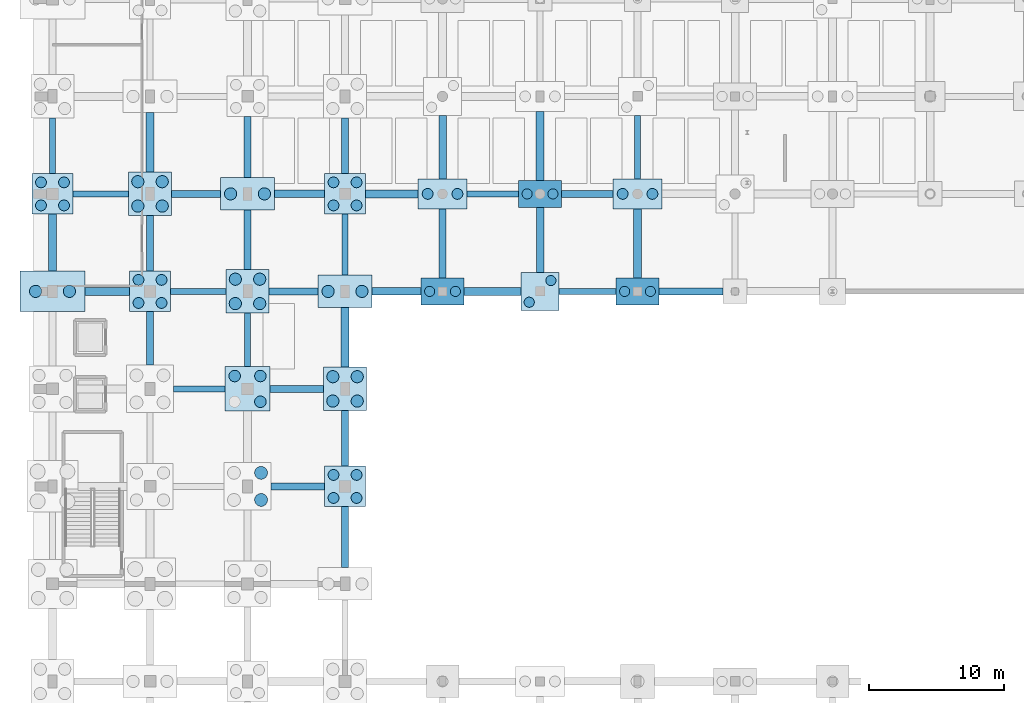
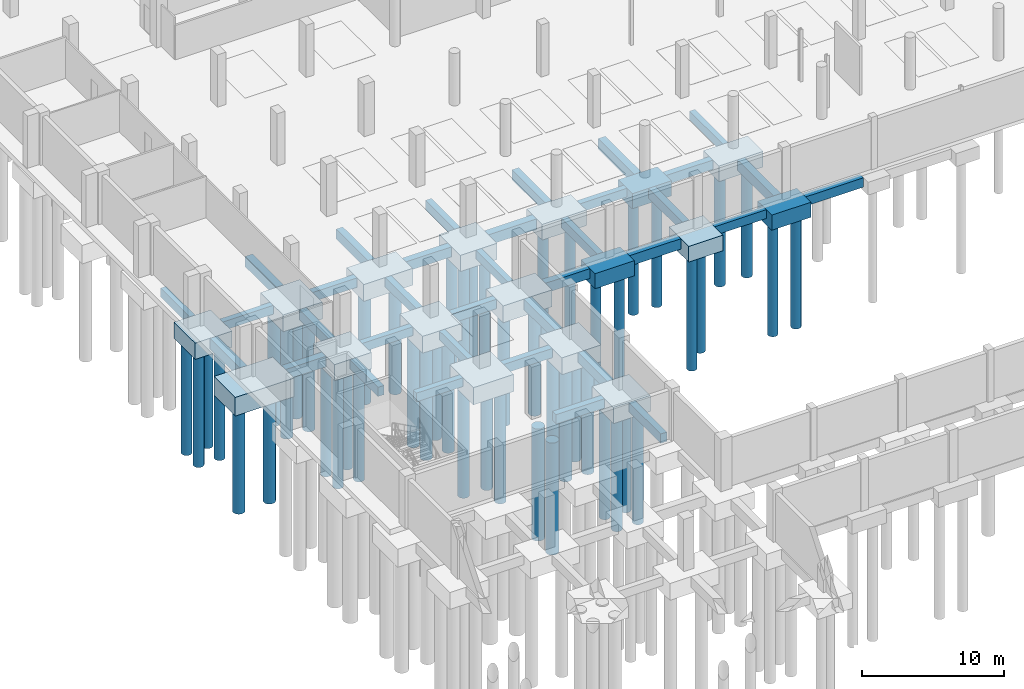
# One storey, part 3 of 35: 52 footings, 51 piles.
"""IFC4 building model written with IfcOpenShell, lengths in metres."""

from ifc_helpers import new_model, si_unit, direction, frame, origin, origin_2d, place, context, subcontext, project, spatial, rectangle, circle, extrude, material, material_profile, profile_set, type_object, element, save


model = new_model("IFC4")

# Units and contexts
model_context = context("Model", 3, precision=1e-05, world=origin(), true_north=direction((0.0, 1.0)))
body_context = subcontext(model_context, "Body", "Model", "MODEL_VIEW")
ifc_project = project(units=[si_unit("LENGTHUNIT", "METRE"), si_unit("AREAUNIT", "SQUARE_METRE"), si_unit("VOLUMEUNIT", "CUBIC_METRE"), si_unit("PLANEANGLEUNIT", "RADIAN"), si_unit("MASSUNIT", "GRAM", prefix="KILO")], contexts=[model_context])

# Site, building, storey
site_placement = place(None, origin())
site = spatial("IfcSite", under=ifc_project, at=site_placement, CompositionType="ELEMENT")
building_placement = place(site_placement, origin())
building = spatial("IfcBuilding", under=site, at=building_placement, Name="Kalluvel Institute of Natural Sciences", CompositionType="ELEMENT")
storey_placement = place(building_placement, frame((0.0, 0.0, -4.5)))
storey = spatial("IfcBuildingStorey", under=building, at=storey_placement, Name="B1", CompositionType="ELEMENT", Elevation=-4.5)

# Footings
ifc_material = material(Name="Concrete M40", Category="concrete")
footing_type_1 = type_object("IfcFootingType", Name="FB-450x750", PredefinedType="FOOTING_BEAM", material=ifc_material)
footing_1_placement = place(storey_placement, frame((24.85009765625, 57.199951171875, -1.199951171875), z_axis=(0.0, 0.0, 1.0), x_axis=(1.0, 0.0, 0.0)))
element("IfcFooting", 1, at=footing_1_placement, inside=storey, type_object=footing_type_1, Name="Foundation tie beam GB-X-056", PredefinedType="FOOTING_BEAM", context=body_context, shape_type="SweptSolid", body=[
    extrude(rectangle(XDim=3.800048828125, YDim=0.449951171875, at=origin_2d()), origin(), (0.0, 0.0, 1.0), 0.75),
])
footing_2_placement = place(storey_placement, frame((24.75, 64.39990234375, -1.199951171875), z_axis=(0.0, 0.0, 1.0), x_axis=(1.0, 0.0, 0.0)))
element("IfcFooting", 2, at=footing_2_placement, inside=storey, type_object=footing_type_1, Name="Foundation tie beam GB-X-060", PredefinedType="FOOTING_BEAM", context=body_context, shape_type="SweptSolid", body=[
    extrude(rectangle(XDim=4.10009765625, YDim=0.449951171875, at=origin_2d()), origin(), (0.0, 0.0, 1.0), 0.75),
])
footing_3_placement = place(storey_placement, frame((53.5, 64.39990234375, -1.199951171875), z_axis=(0.0, 0.0, 1.0), x_axis=(1.0, 0.0, 0.0)))
element("IfcFooting", 3, at=footing_3_placement, inside=storey, type_object=footing_type_1, Name="Foundation tie beam GB-X-064", PredefinedType="FOOTING_BEAM", context=body_context, shape_type="SweptSolid", body=[
    extrude(rectangle(XDim=4.199951171875, YDim=0.449951171875, at=origin_2d()), origin(), (0.0, 0.0, 1.0), 0.75),
])
footing_4_placement = place(storey_placement, frame((17.550048828125, 71.60009765625, -1.199951171875), z_axis=(0.0, 0.0, 1.0), x_axis=(1.0, 0.0, 0.0)))
element("IfcFooting", 4, at=footing_4_placement, inside=storey, type_object=footing_type_1, Name="Foundation tie beam GB-X-068", PredefinedType="FOOTING_BEAM", context=body_context, shape_type="SweptSolid", body=[
    extrude(rectangle(XDim=4.10009765625, YDim=0.449951171875, at=origin_2d()), origin(), (0.0, 0.0, 1.0), 0.75),
])
footing_5_placement = place(storey_placement, frame((46.5, 71.60009765625, -1.199951171875), z_axis=(0.0, 0.0, 1.0), x_axis=(1.0, 0.0, 0.0)))
element("IfcFooting", 5, at=footing_5_placement, inside=storey, type_object=footing_type_1, Name="Foundation tie beam GB-X-072", PredefinedType="FOOTING_BEAM", context=body_context, shape_type="SweptSolid", body=[
    extrude(rectangle(XDim=3.800048828125, YDim=0.449951171875, at=origin_2d()), origin(), (0.0, 0.0, 1.0), 0.75),
])
footing_6_placement = place(storey_placement, frame((14.0, 75.14990234375, -1.199951171875), z_axis=(0.0, 0.0, 1.0), x_axis=(1.0, 0.0, 0.0)))
element("IfcFooting", 6, at=footing_6_placement, inside=storey, type_object=footing_type_1, Name="Foundation tie beam GB-Y-204", PredefinedType="FOOTING_BEAM", context=body_context, shape_type="SweptSolid", body=[
    extrude(rectangle(XDim=0.449951171875, YDim=4.10009765625, at=origin_2d()), origin(), (0.0, 0.0, 1.0), 0.75),
])
footing_7_placement = place(storey_placement, frame((28.39990234375, 60.824951171875, -1.199951171875), z_axis=(0.0, 0.0, 1.0), x_axis=(1.0, 0.0, 0.0)))
element("IfcFooting", 7, at=footing_7_placement, inside=storey, type_object=footing_type_1, Name="Foundation tie beam GB-Y-232", PredefinedType="FOOTING_BEAM", context=body_context, shape_type="SweptSolid", body=[
    extrude(rectangle(XDim=0.449951171875, YDim=3.949951171875, at=origin_2d()), origin(), (0.0, 0.0, 1.0), 0.75),
])
footing_8_placement = place(storey_placement, frame((35.60009765625, 67.85009765625, -1.199951171875), z_axis=(0.0, 0.0, 1.0), x_axis=(1.0, 0.0, 0.0)))
element("IfcFooting", 8, at=footing_8_placement, inside=storey, type_object=footing_type_1, Name="Foundation tie beam GB-Y-248", PredefinedType="FOOTING_BEAM", context=body_context, shape_type="SweptSolid", body=[
    extrude(rectangle(XDim=0.449951171875, YDim=4.5, at=origin_2d()), origin(), (0.0, 0.0, 1.0), 0.75),
])
footing_9_placement = place(storey_placement, frame((57.199951171875, 75.050048828125, -1.199951171875), z_axis=(0.0, 0.0, 1.0), x_axis=(1.0, 0.0, 0.0)))
element("IfcFooting", 9, at=footing_9_placement, inside=storey, type_object=footing_type_1, Name="Foundation tie beam GB-Y-276", PredefinedType="FOOTING_BEAM", context=body_context, shape_type="SweptSolid", body=[
    extrude(rectangle(XDim=0.449951171875, YDim=4.699951171875, at=origin_2d()), origin(), (0.0, 0.0, 1.0), 0.75),
])
footing_type_2 = type_object("IfcFootingType", Name="FB-500x800", PredefinedType="FOOTING_BEAM", material=ifc_material)
for number, where, z_axis, x_axis, name in (
    (10, (32.125, 50.0, -1.25), (0.0, 0.0, 1.0), (1.0, 0.0, 0.0), "Foundation tie beam GB-X-053"),
    (11, (32.02490234375, 57.199951171875, -1.25), (0.0, 0.0, 1.0), (1.0, 0.0, 0.0), "Foundation tie beam GB-X-057"),
):
    element("IfcFooting", number, at=place(storey_placement, frame(where, z_axis=z_axis, x_axis=x_axis)), inside=storey, type_object=footing_type_2, Name=name, PredefinedType="FOOTING_BEAM", context=body_context, shape_type="SweptSolid", body=[
        extrude(rectangle(XDim=3.949951171875, YDim=0.5, at=origin_2d()), origin(), (0.0, 0.0, 1.0), 0.800048828125),
    ])
footing_10_placement = place(storey_placement, frame((31.800048828125, 64.39990234375, -1.25), z_axis=(0.0, 0.0, 1.0), x_axis=(1.0, 0.0, 0.0)))
element("IfcFooting", 12, at=footing_10_placement, inside=storey, type_object=footing_type_2, Name="Foundation tie beam GB-X-061", PredefinedType="FOOTING_BEAM", context=body_context, shape_type="SweptSolid", body=[
    extrude(rectangle(XDim=3.60009765625, YDim=0.5, at=origin_2d()), origin(), (0.0, 0.0, 1.0), 0.800048828125),
])
footing_11_placement = place(storey_placement, frame((61.14990234375, 64.39990234375, -1.25), z_axis=(0.0, 0.0, 1.0), x_axis=(1.0, 0.0, 0.0)))
element("IfcFooting", 13, at=footing_11_placement, inside=storey, type_object=footing_type_2, Name="Foundation tie beam GB-X-065", PredefinedType="FOOTING_BEAM", context=body_context, shape_type="SweptSolid", body=[
    extrude(rectangle(XDim=4.699951171875, YDim=0.5, at=origin_2d()), origin(), (0.0, 0.0, 1.0), 0.800048828125),
])
footing_12_placement = place(storey_placement, frame((24.60009765625, 71.60009765625, -1.25), z_axis=(0.0, 0.0, 1.0), x_axis=(1.0, 0.0, 0.0)))
element("IfcFooting", 14, at=footing_12_placement, inside=storey, type_object=footing_type_2, Name="Foundation tie beam GB-X-069", PredefinedType="FOOTING_BEAM", context=body_context, shape_type="SweptSolid", body=[
    extrude(rectangle(XDim=3.60009765625, YDim=0.5, at=origin_2d()), origin(), (0.0, 0.0, 1.0), 0.800048828125),
])
footing_13_placement = place(storey_placement, frame((53.5, 71.60009765625, -1.25), z_axis=(0.0, 0.0, 1.0), x_axis=(1.0, 0.0, 0.0)))
element("IfcFooting", 15, at=footing_13_placement, inside=storey, type_object=footing_type_2, Name="Foundation tie beam GB-X-073", PredefinedType="FOOTING_BEAM", context=body_context, shape_type="SweptSolid", body=[
    extrude(rectangle(XDim=3.800048828125, YDim=0.5, at=origin_2d()), origin(), (0.0, 0.0, 1.0), 0.800048828125),
])
footing_14_placement = place(storey_placement, frame((21.199951171875, 60.925048828125, -1.25), z_axis=(0.0, 0.0, 1.0), x_axis=(1.0, 0.0, 0.0)))
element("IfcFooting", 16, at=footing_14_placement, inside=storey, type_object=footing_type_2, Name="Foundation tie beam GB-Y-217", PredefinedType="FOOTING_BEAM", context=body_context, shape_type="SweptSolid", body=[
    extrude(rectangle(XDim=0.5, YDim=3.949951171875, at=origin_2d()), origin(), (0.0, 0.0, 1.0), 0.800048828125),
])
footing_15_placement = place(storey_placement, frame((28.39990234375, 68.199951171875, -1.25), z_axis=(0.0, 0.0, 1.0), x_axis=(1.0, 0.0, 0.0)))
element("IfcFooting", 17, at=footing_15_placement, inside=storey, type_object=footing_type_2, Name="Foundation tie beam GB-Y-233", PredefinedType="FOOTING_BEAM", context=body_context, shape_type="SweptSolid", body=[
    extrude(rectangle(XDim=0.5, YDim=4.39990234375, at=origin_2d()), origin(), (0.0, 0.0, 1.0), 0.800048828125),
])
footing_16_placement = place(storey_placement, frame((35.60009765625, 46.25, -1.25), z_axis=(0.0, 0.0, 1.0), x_axis=(1.0, 0.0, 0.0)))
element("IfcFooting", 18, at=footing_16_placement, inside=storey, type_object=footing_type_2, Name="Foundation tie beam GB-Y-245", PredefinedType="FOOTING_BEAM", context=body_context, shape_type="SweptSolid", body=[
    extrude(rectangle(XDim=0.5, YDim=4.5, at=origin_2d()), origin(), (0.0, 0.0, 1.0), 0.800048828125),
])
footing_17_placement = place(storey_placement, frame((35.60009765625, 75.14990234375, -1.25), z_axis=(0.0, 0.0, 1.0), x_axis=(1.0, 0.0, 0.0)))
element("IfcFooting", 19, at=footing_17_placement, inside=storey, type_object=footing_type_2, Name="Foundation tie beam GB-Y-249", PredefinedType="FOOTING_BEAM", context=body_context, shape_type="SweptSolid", body=[
    extrude(rectangle(XDim=0.5, YDim=4.10009765625, at=origin_2d()), origin(), (0.0, 0.0, 1.0), 0.800048828125),
])
footing_18_placement = place(storey_placement, frame((42.800048828125, 67.949951171875, -1.25), z_axis=(0.0, 0.0, 1.0), x_axis=(1.0, 0.0, 0.0)))
element("IfcFooting", 20, at=footing_18_placement, inside=storey, type_object=footing_type_2, Name="Foundation tie beam GB-Y-257", PredefinedType="FOOTING_BEAM", context=body_context, shape_type="SweptSolid", body=[
    extrude(rectangle(XDim=0.5, YDim=5.10009765625, at=origin_2d()), origin(), (0.0, 0.0, 1.0), 0.800048828125),
])
footing_type_3 = type_object("IfcFootingType", Name="FB-550x850", PredefinedType="FOOTING_BEAM", material=ifc_material)
footing_19_placement = place(storey_placement, frame((39.39990234375, 64.39990234375, -1.300048828125), z_axis=(0.0, 0.0, 1.0), x_axis=(1.0, 0.0, 0.0)))
element("IfcFooting", 21, at=footing_19_placement, inside=storey, type_object=footing_type_3, Name="Foundation tie beam GB-X-062", PredefinedType="FOOTING_BEAM", context=body_context, shape_type="SweptSolid", body=[
    extrude(rectangle(XDim=3.60009765625, YDim=0.550048828125, at=origin_2d()), origin(), (0.0, 0.0, 1.0), 0.85009765625),
])
footing_20_placement = place(storey_placement, frame((32.25, 71.60009765625, -1.300048828125), z_axis=(0.0, 0.0, 1.0), x_axis=(1.0, 0.0, 0.0)))
element("IfcFooting", 22, at=footing_20_placement, inside=storey, type_object=footing_type_3, Name="Foundation tie beam GB-X-070", PredefinedType="FOOTING_BEAM", context=body_context, shape_type="SweptSolid", body=[
    extrude(rectangle(XDim=3.699951171875, YDim=0.550048828125, at=origin_2d()), origin(), (0.0, 0.0, 1.0), 0.85009765625),
])
footing_21_placement = place(storey_placement, frame((21.199951171875, 67.949951171875, -1.300048828125), z_axis=(0.0, 0.0, 1.0), x_axis=(1.0, 0.0, 0.0)))
element("IfcFooting", 23, at=footing_21_placement, inside=storey, type_object=footing_type_3, Name="Foundation tie beam GB-Y-218", PredefinedType="FOOTING_BEAM", context=body_context, shape_type="SweptSolid", body=[
    extrude(rectangle(XDim=0.550048828125, YDim=4.10009765625, at=origin_2d()), origin(), (0.0, 0.0, 1.0), 0.85009765625),
])
footing_22_placement = place(storey_placement, frame((28.39990234375, 75.050048828125, -1.300048828125), z_axis=(0.0, 0.0, 1.0), x_axis=(1.0, 0.0, 0.0)))
element("IfcFooting", 24, at=footing_22_placement, inside=storey, type_object=footing_type_3, Name="Foundation tie beam GB-Y-234", PredefinedType="FOOTING_BEAM", context=body_context, shape_type="SweptSolid", body=[
    extrude(rectangle(XDim=0.550048828125, YDim=4.5, at=origin_2d()), origin(), (0.0, 0.0, 1.0), 0.85009765625),
])
footing_23_placement = place(storey_placement, frame((35.60009765625, 53.550048828125, -1.300048828125), z_axis=(0.0, 0.0, 1.0), x_axis=(1.0, 0.0, 0.0)))
element("IfcFooting", 25, at=footing_23_placement, inside=storey, type_object=footing_type_3, Name="Foundation tie beam GB-Y-246", PredefinedType="FOOTING_BEAM", context=body_context, shape_type="SweptSolid", body=[
    extrude(rectangle(XDim=0.550048828125, YDim=4.10009765625, at=origin_2d()), origin(), (0.0, 0.0, 1.0), 0.85009765625),
])
footing_24_placement = place(storey_placement, frame((42.800048828125, 75.050048828125, -1.300048828125), z_axis=(0.0, 0.0, 1.0), x_axis=(1.0, 0.0, 0.0)))
element("IfcFooting", 26, at=footing_24_placement, inside=storey, type_object=footing_type_3, Name="Foundation tie beam GB-Y-258", PredefinedType="FOOTING_BEAM", context=body_context, shape_type="SweptSolid", body=[
    extrude(rectangle(XDim=0.550048828125, YDim=4.699951171875, at=origin_2d()), origin(), (0.0, 0.0, 1.0), 0.85009765625),
])
footing_25_placement = place(storey_placement, frame((50.0, 68.199951171875, -1.300048828125), z_axis=(0.0, 0.0, 1.0), x_axis=(1.0, 0.0, 0.0)))
element("IfcFooting", 27, at=footing_25_placement, inside=storey, type_object=footing_type_3, Name="Foundation tie beam GB-Y-266", PredefinedType="FOOTING_BEAM", context=body_context, shape_type="SweptSolid", body=[
    extrude(rectangle(XDim=0.550048828125, YDim=4.800048828125, at=origin_2d()), origin(), (0.0, 0.0, 1.0), 0.85009765625),
])
footing_type_4 = type_object("IfcFootingType", Name="FB-600x900", PredefinedType="FOOTING_BEAM", material=ifc_material)
footing_26_placement = place(storey_placement, frame((18.050048828125, 64.39990234375, -1.349853515625), z_axis=(0.0, 0.0, 1.0), x_axis=(1.0, 0.0, 0.0)))
element("IfcFooting", 28, at=footing_26_placement, inside=storey, type_object=footing_type_4, Name="Foundation tie beam GB-X-059", PredefinedType="FOOTING_BEAM", context=body_context, shape_type="SweptSolid", body=[
    extrude(rectangle(XDim=3.300048828125, YDim=0.60009765625, at=origin_2d()), origin(), (0.0, 0.0, 1.0), 0.89990234375),
])
footing_27_placement = place(storey_placement, frame((46.5, 64.39990234375, -1.349853515625), z_axis=(0.0, 0.0, 1.0), x_axis=(1.0, 0.0, 0.0)))
element("IfcFooting", 29, at=footing_27_placement, inside=storey, type_object=footing_type_4, Name="Foundation tie beam GB-X-063", PredefinedType="FOOTING_BEAM", context=body_context, shape_type="SweptSolid", body=[
    extrude(rectangle(XDim=4.199951171875, YDim=0.60009765625, at=origin_2d()), origin(), (0.0, 0.0, 1.0), 0.89990234375),
])
footing_28_placement = place(storey_placement, frame((39.050048828125, 71.60009765625, -1.349853515625), z_axis=(0.0, 0.0, 1.0), x_axis=(1.0, 0.0, 0.0)))
element("IfcFooting", 30, at=footing_28_placement, inside=storey, type_object=footing_type_4, Name="Foundation tie beam GB-X-071", PredefinedType="FOOTING_BEAM", context=body_context, shape_type="SweptSolid", body=[
    extrude(rectangle(XDim=3.89990234375, YDim=0.60009765625, at=origin_2d()), origin(), (0.0, 0.0, 1.0), 0.89990234375),
])
footing_29_placement = place(storey_placement, frame((14.0, 68.0, -1.349853515625), z_axis=(0.0, 0.0, 1.0), x_axis=(1.0, 0.0, 0.0)))
element("IfcFooting", 31, at=footing_29_placement, inside=storey, type_object=footing_type_4, Name="Foundation tie beam GB-Y-203", PredefinedType="FOOTING_BEAM", context=body_context, shape_type="SweptSolid", body=[
    extrude(rectangle(XDim=0.60009765625, YDim=4.199951171875, at=origin_2d()), origin(), (0.0, 0.0, 1.0), 0.89990234375),
])
for number, where, z_axis, x_axis, name in (
    (32, (21.199951171875, 75.39990234375, -1.349853515625), (0.0, 0.0, 1.0), (1.0, 0.0, 0.0), "Foundation tie beam GB-Y-219"),
    (33, (35.60009765625, 61.0, -1.349853515625), (0.0, 0.0, 1.0), (1.0, 0.0, 0.0), "Foundation tie beam GB-Y-247"),
):
    element("IfcFooting", number, at=place(storey_placement, frame(where, z_axis=z_axis, x_axis=x_axis)), inside=storey, type_object=footing_type_4, Name=name, PredefinedType="FOOTING_BEAM", context=body_context, shape_type="SweptSolid", body=[
        extrude(rectangle(XDim=0.60009765625, YDim=4.39990234375, at=origin_2d()), origin(), (0.0, 0.0, 1.0), 0.89990234375),
    ])
for number, where, z_axis, x_axis, name in (
    (34, (50.0, 75.14990234375, -1.349853515625), (0.0, 0.0, 1.0), (1.0, 0.0, 0.0), "Foundation tie beam GB-Y-267"),
    (35, (57.199951171875, 67.949951171875, -1.349853515625), (0.0, 0.0, 1.0), (1.0, 0.0, 0.0), "Foundation tie beam GB-Y-275"),
):
    element("IfcFooting", number, at=place(storey_placement, frame(where, z_axis=z_axis, x_axis=x_axis)), inside=storey, type_object=footing_type_4, Name=name, PredefinedType="FOOTING_BEAM", context=body_context, shape_type="SweptSolid", body=[
        extrude(rectangle(XDim=0.60009765625, YDim=5.10009765625, at=origin_2d()), origin(), (0.0, 0.0, 1.0), 0.89990234375),
    ])
footing_type_5 = type_object("IfcFootingType", Name="PC-2800x2800x1350", PredefinedType="PILE_CAP", material=ifc_material)
footing_30_placement = place(storey_placement, frame((50.0, 64.39990234375, -1.800048828125), z_axis=(0.0, 0.0, 1.0), x_axis=(1.0, 0.0, 0.0)))
element("IfcFooting", 36, at=footing_30_placement, inside=storey, type_object=footing_type_5, Name="Pile cap CAP-078", PredefinedType="PILE_CAP", context=body_context, shape_type="SweptSolid", body=[
    extrude(rectangle(XDim=2.800048828125, YDim=2.800048828125, at=origin_2d()), origin(), (0.0, 0.0, 1.0), 1.35009765625),
])
footing_type_6 = type_object("IfcFootingType", Name="PC-3000x3000x1400", PredefinedType="PILE_CAP", material=ifc_material)
for number, where, z_axis, x_axis, name in (
    (37, (14.0, 71.60009765625, -1.849853515625), (0.0, 0.0, 1.0), (1.0, 0.0, 0.0), "Pile cap CAP-009"),
    (38, (21.199951171875, 64.39990234375, -1.849853515625), (0.0, 0.0, 1.0), (1.0, 0.0, 0.0), "Pile cap CAP-024"),
    (39, (35.60009765625, 50.0, -1.849853515625), (0.0, 0.0, 1.0), (1.0, 0.0, 0.0), "Pile cap CAP-054"),
    (40, (35.60009765625, 71.60009765625, -1.849853515625), (0.0, 0.0, 1.0), (1.0, 0.0, 0.0), "Pile cap CAP-057"),
):
    element("IfcFooting", number, at=place(storey_placement, frame(where, z_axis=z_axis, x_axis=x_axis)), inside=storey, type_object=footing_type_6, Name=name, PredefinedType="PILE_CAP", context=body_context, shape_type="SweptSolid", body=[
        extrude(rectangle(XDim=3.0, YDim=3.0, at=origin_2d()), origin(), (0.0, 0.0, 1.0), 1.39990234375),
    ])
footing_type_7 = type_object("IfcFootingType", Name="PC-3200x2000x1300", PredefinedType="PILE_CAP", material=ifc_material)
for number, where, z_axis, x_axis, name in (
    (41, (42.800048828125, 64.39990234375, -1.75), (0.0, 0.0, 1.0), (1.0, 0.0, 0.0), "Pile cap CAP-067"),
    (42, (50.0, 71.60009765625, -1.75), (0.0, 0.0, 1.0), (1.0, 0.0, 0.0), "Pile cap CAP-079"),
    (43, (57.199951171875, 64.39990234375, -1.75), (0.0, 0.0, 1.0), (1.0, 0.0, 0.0), "Pile cap CAP-089"),
):
    element("IfcFooting", number, at=place(storey_placement, frame(where, z_axis=z_axis, x_axis=x_axis)), inside=storey, type_object=footing_type_7, Name=name, PredefinedType="PILE_CAP", context=body_context, shape_type="SweptSolid", body=[
        extrude(rectangle(XDim=3.199951171875, YDim=2.0, at=origin_2d()), origin(), (0.0, 0.0, 1.0), 1.300048828125),
    ])
footing_type_8 = type_object("IfcFootingType", Name="PC-3200x3200x1450", PredefinedType="PILE_CAP", material=ifc_material)
for number, where, z_axis, x_axis, name in (
    (44, (21.199951171875, 71.60009765625, -1.89990234375), (0.0, 0.0, 1.0), (1.0, 0.0, 0.0), "Pile cap CAP-025"),
    (45, (28.39990234375, 64.39990234375, -1.89990234375), (0.0, 0.0, 1.0), (1.0, 0.0, 0.0), "Pile cap CAP-040"),
    (46, (35.60009765625, 57.199951171875, -1.89990234375), (0.0, 0.0, 1.0), (1.0, 0.0, 0.0), "Pile cap CAP-055"),
):
    element("IfcFooting", number, at=place(storey_placement, frame(where, z_axis=z_axis, x_axis=x_axis)), inside=storey, type_object=footing_type_8, Name=name, PredefinedType="PILE_CAP", context=body_context, shape_type="SweptSolid", body=[
        extrude(rectangle(XDim=3.199951171875, YDim=3.199951171875, at=origin_2d()), origin(), (0.0, 0.0, 1.0), 1.449951171875),
    ])
footing_type_9 = type_object("IfcFootingType", Name="PC-3300x3300x1480", PredefinedType="PILE_CAP", material=ifc_material)
footing_31_placement = place(storey_placement, frame((28.39990234375, 57.199951171875, -1.929931640625), z_axis=(0.0, 0.0, 1.0), x_axis=(1.0, 0.0, 0.0)))
element("IfcFooting", 47, at=footing_31_placement, inside=storey, type_object=footing_type_9, Name="Pile cap CAP-039", PredefinedType="PILE_CAP", context=body_context, shape_type="SweptSolid", body=[
    extrude(rectangle(XDim=3.300048828125, YDim=3.300048828125, at=origin_2d()), origin(), (0.0, 0.0, 1.0), 1.47998046875),
])
footing_type_10 = type_object("IfcFootingType", Name="PC-3600x2200x1350", PredefinedType="PILE_CAP", material=ifc_material)
for number, where, z_axis, x_axis, name in (
    (48, (42.800048828125, 71.60009765625, -1.800048828125), (0.0, 0.0, 1.0), (1.0, 0.0, 0.0), "Pile cap CAP-068"),
    (49, (57.199951171875, 71.60009765625, -1.800048828125), (0.0, 0.0, 1.0), (1.0, 0.0, 0.0), "Pile cap CAP-090"),
):
    element("IfcFooting", number, at=place(storey_placement, frame(where, z_axis=z_axis, x_axis=x_axis)), inside=storey, type_object=footing_type_10, Name=name, PredefinedType="PILE_CAP", context=body_context, shape_type="SweptSolid", body=[
        extrude(rectangle(XDim=3.60009765625, YDim=2.199951171875, at=origin_2d()), origin(), (0.0, 0.0, 1.0), 1.35009765625),
    ])
footing_type_11 = type_object("IfcFootingType", Name="PC-4000x2400x1450", PredefinedType="PILE_CAP", material=ifc_material)
for number, where, z_axis, x_axis, name in (
    (50, (28.39990234375, 71.60009765625, -1.89990234375), (0.0, 0.0, 1.0), (1.0, 0.0, 0.0), "Pile cap CAP-041"),
    (51, (35.60009765625, 64.39990234375, -1.89990234375), (0.0, 0.0, 1.0), (1.0, 0.0, 0.0), "Pile cap CAP-056"),
):
    element("IfcFooting", number, at=place(storey_placement, frame(where, z_axis=z_axis, x_axis=x_axis)), inside=storey, type_object=footing_type_11, Name=name, PredefinedType="PILE_CAP", context=body_context, shape_type="SweptSolid", body=[
        extrude(rectangle(XDim=4.0, YDim=2.39990234375, at=origin_2d()), origin(), (0.0, 0.0, 1.0), 1.449951171875),
    ])
footing_type_12 = type_object("IfcFootingType", Name="PC-4800x3000x1600", PredefinedType="PILE_CAP", material=ifc_material)
footing_32_placement = place(storey_placement, frame((14.0, 64.39990234375, -2.050048828125), z_axis=(0.0, 0.0, 1.0), x_axis=(1.0, 0.0, 0.0)))
element("IfcFooting", 52, at=footing_32_placement, inside=storey, type_object=footing_type_12, Name="Pile cap CAP-008", PredefinedType="PILE_CAP", context=body_context, shape_type="SweptSolid", body=[
    extrude(rectangle(XDim=4.800048828125, YDim=3.0, at=origin_2d()), origin(), (0.0, 0.0, 1.0), 1.60009765625),
])

# Piles
ifc_material_profile_1 = material_profile(ifc_material, circle(Radius=0.375, at=origin_2d()), Name="PILE D750")
ifc_profile_set_1 = profile_set([ifc_material_profile_1], Name="Concrete M40")
pile_type_1 = type_object("IfcPileType", Name="PILE-D750", PredefinedType="BORED", material=ifc_profile_set_1)
for number, where, z_axis, x_axis, name in (
    (53, (41.85009765625, 64.39990234375, -1.6298828125), (0.0, 0.0, -1.0), (1.0, 0.0, 0.0), "Bored rock-socketed pile PILE-X4185-Y6440"),
    (54, (43.75, 64.39990234375, -1.6298828125), (0.0, 0.0, -1.0), (1.0, 0.0, 0.0), "Bored rock-socketed pile PILE-X4375-Y6440"),
):
    element("IfcPile", number, at=place(storey_placement, frame(where, z_axis=z_axis, x_axis=x_axis)), inside=storey, type_object=pile_type_1, Name=name, PredefinedType="BORED", context=body_context, shape_type="SweptSolid", body=[
        extrude(circle(Radius=0.375, at=origin_2d()), origin(), (0.0, 0.0, 1.0), 9.8701171875),
    ])
for number, where, z_axis, x_axis, name in (
    (55, (49.199951171875, 63.60009765625, -1.679931640625), (0.0, 0.0, -1.0), (1.0, 0.0, 0.0), "Bored rock-socketed pile PILE-X4920-Y6360"),
    (56, (50.800048828125, 65.199951171875, -1.679931640625), (0.0, 0.0, -1.0), (1.0, 0.0, 0.0), "Bored rock-socketed pile PILE-X5080-Y6520"),
):
    element("IfcPile", number, at=place(storey_placement, frame(where, z_axis=z_axis, x_axis=x_axis)), inside=storey, type_object=pile_type_1, Name=name, PredefinedType="BORED", context=body_context, shape_type="SweptSolid", body=[
        extrude(circle(Radius=0.375, at=origin_2d()), origin(), (0.0, 0.0, 1.0), 9.820068359375),
    ])
for number, where, z_axis, x_axis, name in (
    (57, (49.050048828125, 71.60009765625, -1.6298828125), (0.0, 0.0, -1.0), (1.0, 0.0, 0.0), "Bored rock-socketed pile PILE-X4905-Y7160"),
    (58, (50.949951171875, 71.60009765625, -1.6298828125), (0.0, 0.0, -1.0), (1.0, 0.0, 0.0), "Bored rock-socketed pile PILE-X5095-Y7160"),
    (59, (56.25, 64.39990234375, -1.6298828125), (0.0, 0.0, -1.0), (1.0, 0.0, 0.0), "Bored rock-socketed pile PILE-X5625-Y6440"),
    (60, (58.14990234375, 64.39990234375, -1.6298828125), (0.0, 0.0, -1.0), (1.0, 0.0, 0.0), "Bored rock-socketed pile PILE-X5815-Y6440"),
):
    element("IfcPile", number, at=place(storey_placement, frame(where, z_axis=z_axis, x_axis=x_axis)), inside=storey, type_object=pile_type_1, Name=name, PredefinedType="BORED", context=body_context, shape_type="SweptSolid", body=[
        extrude(circle(Radius=0.375, at=origin_2d()), origin(), (0.0, 0.0, 1.0), 9.8701171875),
    ])
ifc_material_profile_2 = material_profile(ifc_material, circle(Radius=0.39990234375, at=origin_2d()), Name="PILE D800")
ifc_profile_set_2 = profile_set([ifc_material_profile_2], Name="Concrete M40")
pile_type_2 = type_object("IfcPileType", Name="PILE-D800", PredefinedType="BORED", material=ifc_profile_set_2)
for number, where, z_axis, x_axis, name in (
    (61, (13.14990234375, 70.75, -1.72998046875), (0.0, 0.0, -1.0), (1.0, 0.0, 0.0), "Bored rock-socketed pile PILE-X1315-Y7075"),
    (62, (14.85009765625, 70.75, -1.72998046875), (0.0, 0.0, -1.0), (1.0, 0.0, 0.0), "Bored rock-socketed pile PILE-X1485-Y7075"),
    (63, (13.14990234375, 72.449951171875, -1.72998046875), (0.0, 0.0, -1.0), (1.0, 0.0, 0.0), "Bored rock-socketed pile PILE-X1315-Y7245"),
    (64, (14.85009765625, 72.449951171875, -1.72998046875), (0.0, 0.0, -1.0), (1.0, 0.0, 0.0), "Bored rock-socketed pile PILE-X1485-Y7245"),
    (65, (20.35009765625, 63.550048828125, -1.72998046875), (0.0, 0.0, -1.0), (1.0, 0.0, 0.0), "Bored rock-socketed pile PILE-X2035-Y6355"),
    (66, (22.050048828125, 63.550048828125, -1.72998046875), (0.0, 0.0, -1.0), (1.0, 0.0, 0.0), "Bored rock-socketed pile PILE-X2205-Y6355"),
    (67, (20.35009765625, 65.25, -1.72998046875), (0.0, 0.0, -1.0), (1.0, 0.0, 0.0), "Bored rock-socketed pile PILE-X2035-Y6525"),
    (68, (22.050048828125, 65.25, -1.72998046875), (0.0, 0.0, -1.0), (1.0, 0.0, 0.0), "Bored rock-socketed pile PILE-X2205-Y6525"),
    (69, (34.75, 49.14990234375, -1.72998046875), (0.0, 0.0, -1.0), (1.0, 0.0, 0.0), "Bored rock-socketed pile PILE-X3475-Y4915"),
    (70, (36.449951171875, 49.14990234375, -1.72998046875), (0.0, 0.0, -1.0), (1.0, 0.0, 0.0), "Bored rock-socketed pile PILE-X3645-Y4915"),
    (71, (34.75, 50.85009765625, -1.72998046875), (0.0, 0.0, -1.0), (1.0, 0.0, 0.0), "Bored rock-socketed pile PILE-X3475-Y5085"),
    (72, (36.449951171875, 50.85009765625, -1.72998046875), (0.0, 0.0, -1.0), (1.0, 0.0, 0.0), "Bored rock-socketed pile PILE-X3645-Y5085"),
    (73, (34.75, 70.75, -1.72998046875), (0.0, 0.0, -1.0), (1.0, 0.0, 0.0), "Bored rock-socketed pile PILE-X3475-Y7075"),
    (74, (36.449951171875, 70.75, -1.72998046875), (0.0, 0.0, -1.0), (1.0, 0.0, 0.0), "Bored rock-socketed pile PILE-X3645-Y7075"),
    (75, (34.75, 72.449951171875, -1.72998046875), (0.0, 0.0, -1.0), (1.0, 0.0, 0.0), "Bored rock-socketed pile PILE-X3475-Y7245"),
    (76, (36.449951171875, 72.449951171875, -1.72998046875), (0.0, 0.0, -1.0), (1.0, 0.0, 0.0), "Bored rock-socketed pile PILE-X3645-Y7245"),
):
    element("IfcPile", number, at=place(storey_placement, frame(where, z_axis=z_axis, x_axis=x_axis)), inside=storey, type_object=pile_type_2, Name=name, PredefinedType="BORED", context=body_context, shape_type="SweptSolid", body=[
        extrude(circle(Radius=0.39990234375, at=origin_2d()), origin(), (0.0, 0.0, 1.0), 9.77001953125),
    ])
for number, where, z_axis, x_axis, name in (
    (77, (41.699951171875, 71.60009765625, -1.679931640625), (0.0, 0.0, -1.0), (1.0, 0.0, 0.0), "Bored rock-socketed pile PILE-X4170-Y7160"),
    (78, (43.89990234375, 71.60009765625, -1.679931640625), (0.0, 0.0, -1.0), (1.0, 0.0, 0.0), "Bored rock-socketed pile PILE-X4390-Y7160"),
    (79, (56.10009765625, 71.60009765625, -1.679931640625), (0.0, 0.0, -1.0), (1.0, 0.0, 0.0), "Bored rock-socketed pile PILE-X5610-Y7160"),
    (80, (58.300048828125, 71.60009765625, -1.679931640625), (0.0, 0.0, -1.0), (1.0, 0.0, 0.0), "Bored rock-socketed pile PILE-X5830-Y7160"),
):
    element("IfcPile", number, at=place(storey_placement, frame(where, z_axis=z_axis, x_axis=x_axis)), inside=storey, type_object=pile_type_2, Name=name, PredefinedType="BORED", context=body_context, shape_type="SweptSolid", body=[
        extrude(circle(Radius=0.39990234375, at=origin_2d()), origin(), (0.0, 0.0, 1.0), 9.820068359375),
    ])
ifc_material_profile_3 = material_profile(ifc_material, circle(Radius=0.425048828125, at=origin_2d()), Name="PILE D850")
ifc_profile_set_3 = profile_set([ifc_material_profile_3], Name="Concrete M40")
pile_type_3 = type_object("IfcPileType", Name="PILE-D850", PredefinedType="BORED", material=ifc_profile_set_3)
for number, where, z_axis, x_axis, name in (
    (81, (29.35009765625, 56.25, -1.81005859375), (0.0, 0.0, -1.0), (1.0, 0.0, 0.0), "Bored rock-socketed pile PILE-X2935-Y5625"),
    (82, (27.449951171875, 58.14990234375, -1.81005859375), (0.0, 0.0, -1.0), (1.0, 0.0, 0.0), "Bored rock-socketed pile PILE-X2745-Y5815"),
    (83, (29.35009765625, 58.14990234375, -1.81005859375), (0.0, 0.0, -1.0), (1.0, 0.0, 0.0), "Bored rock-socketed pile PILE-X2935-Y5815"),
):
    element("IfcPile", number, at=place(storey_placement, frame(where, z_axis=z_axis, x_axis=x_axis)), inside=storey, type_object=pile_type_3, Name=name, PredefinedType="BORED", context=body_context, shape_type="SweptSolid", body=[
        extrude(circle(Radius=0.425048828125, at=origin_2d()), origin(), (0.0, 0.0, 1.0), 9.68994140625),
    ])
ifc_material_profile_4 = material_profile(ifc_material, circle(Radius=0.449951171875, at=origin_2d()), Name="PILE D900")
ifc_profile_set_4 = profile_set([ifc_material_profile_4], Name="Concrete M40")
pile_type_4 = type_object("IfcPileType", Name="PILE-D900", PredefinedType="BORED", material=ifc_profile_set_4)
for number, where, z_axis, x_axis, name in (
    (84, (12.75, 64.39990234375, -1.929931640625), (0.0, 0.0, -1.0), (1.0, 0.0, 0.0), "Bored rock-socketed pile PILE-X1275-Y6440"),
    (85, (15.25, 64.39990234375, -1.929931640625), (0.0, 0.0, -1.0), (1.0, 0.0, 0.0), "Bored rock-socketed pile PILE-X1525-Y6440"),
):
    element("IfcPile", number, at=place(storey_placement, frame(where, z_axis=z_axis, x_axis=x_axis)), inside=storey, type_object=pile_type_4, Name=name, PredefinedType="BORED", context=body_context, shape_type="SweptSolid", body=[
        extrude(circle(Radius=0.449951171875, at=origin_2d()), origin(), (0.0, 0.0, 1.0), 9.570068359375),
    ])
for number, where, z_axis, x_axis, name in (
    (86, (20.300048828125, 70.699951171875, -1.780029296875), (0.0, 0.0, -1.0), (1.0, 0.0, 0.0), "Bored rock-socketed pile PILE-X2030-Y7070"),
    (87, (22.10009765625, 70.699951171875, -1.780029296875), (0.0, 0.0, -1.0), (1.0, 0.0, 0.0), "Bored rock-socketed pile PILE-X2210-Y7070"),
    (88, (20.300048828125, 72.5, -1.780029296875), (0.0, 0.0, -1.0), (1.0, 0.0, 0.0), "Bored rock-socketed pile PILE-X2030-Y7250"),
    (89, (22.10009765625, 72.5, -1.780029296875), (0.0, 0.0, -1.0), (1.0, 0.0, 0.0), "Bored rock-socketed pile PILE-X2210-Y7250"),
    (90, (27.5, 63.5, -1.780029296875), (0.0, 0.0, -1.0), (1.0, 0.0, 0.0), "Bored rock-socketed pile PILE-X2750-Y6350"),
    (91, (29.300048828125, 63.5, -1.780029296875), (0.0, 0.0, -1.0), (1.0, 0.0, 0.0), "Bored rock-socketed pile PILE-X2930-Y6350"),
    (92, (27.5, 65.300048828125, -1.780029296875), (0.0, 0.0, -1.0), (1.0, 0.0, 0.0), "Bored rock-socketed pile PILE-X2750-Y6530"),
    (93, (29.300048828125, 65.300048828125, -1.780029296875), (0.0, 0.0, -1.0), (1.0, 0.0, 0.0), "Bored rock-socketed pile PILE-X2930-Y6530"),
    (94, (27.14990234375, 71.60009765625, -1.780029296875), (0.0, 0.0, -1.0), (1.0, 0.0, 0.0), "Bored rock-socketed pile PILE-X2715-Y7160"),
    (95, (29.64990234375, 71.60009765625, -1.780029296875), (0.0, 0.0, -1.0), (1.0, 0.0, 0.0), "Bored rock-socketed pile PILE-X2965-Y7160"),
    (96, (34.699951171875, 56.300048828125, -1.780029296875), (0.0, 0.0, -1.0), (1.0, 0.0, 0.0), "Bored rock-socketed pile PILE-X3470-Y5630"),
    (97, (36.5, 56.300048828125, -1.780029296875), (0.0, 0.0, -1.0), (1.0, 0.0, 0.0), "Bored rock-socketed pile PILE-X3650-Y5630"),
    (98, (34.699951171875, 58.10009765625, -1.780029296875), (0.0, 0.0, -1.0), (1.0, 0.0, 0.0), "Bored rock-socketed pile PILE-X3470-Y5810"),
    (99, (36.5, 58.10009765625, -1.780029296875), (0.0, 0.0, -1.0), (1.0, 0.0, 0.0), "Bored rock-socketed pile PILE-X3650-Y5810"),
    (100, (34.35009765625, 64.39990234375, -1.780029296875), (0.0, 0.0, -1.0), (1.0, 0.0, 0.0), "Bored rock-socketed pile PILE-X3435-Y6440"),
    (101, (36.85009765625, 64.39990234375, -1.780029296875), (0.0, 0.0, -1.0), (1.0, 0.0, 0.0), "Bored rock-socketed pile PILE-X3685-Y6440"),
):
    element("IfcPile", number, at=place(storey_placement, frame(where, z_axis=z_axis, x_axis=x_axis)), inside=storey, type_object=pile_type_4, Name=name, PredefinedType="BORED", context=body_context, shape_type="SweptSolid", body=[
        extrude(circle(Radius=0.449951171875, at=origin_2d()), origin(), (0.0, 0.0, 1.0), 9.719970703125),
    ])
ifc_material_profile_5 = material_profile(ifc_material, circle(Radius=0.47509765625, at=origin_2d()), Name="PILE D950")
ifc_profile_set_5 = profile_set([ifc_material_profile_5], Name="Concrete M40")
pile_type_5 = type_object("IfcPileType", Name="PILE-D950", PredefinedType="BORED", material=ifc_profile_set_5)
for number, where, z_axis, x_axis, name in (
    (102, (29.39990234375, 49.0, -1.85009765625), (0.0, 0.0, -1.0), (1.0, 0.0, 0.0), "Bored rock-socketed pile PILE-X2940-Y4900"),
    (103, (29.39990234375, 51.0, -1.85009765625), (0.0, 0.0, -1.0), (1.0, 0.0, 0.0), "Bored rock-socketed pile PILE-X2940-Y5100"),
):
    element("IfcPile", number, at=place(storey_placement, frame(where, z_axis=z_axis, x_axis=x_axis)), inside=storey, type_object=pile_type_5, Name=name, PredefinedType="BORED", context=body_context, shape_type="SweptSolid", body=[
        extrude(circle(Radius=0.47509765625, at=origin_2d()), origin(), (0.0, 0.0, 1.0), 9.64990234375),
    ])

save(model, "model.ifc")
